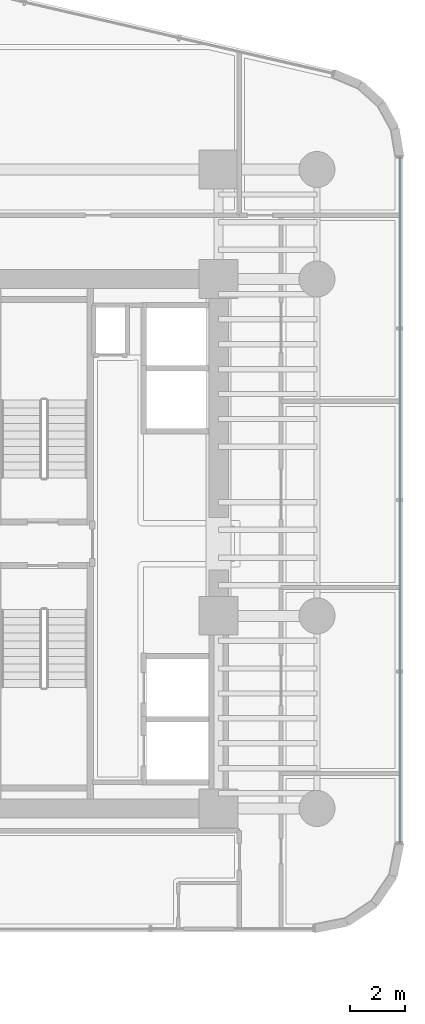
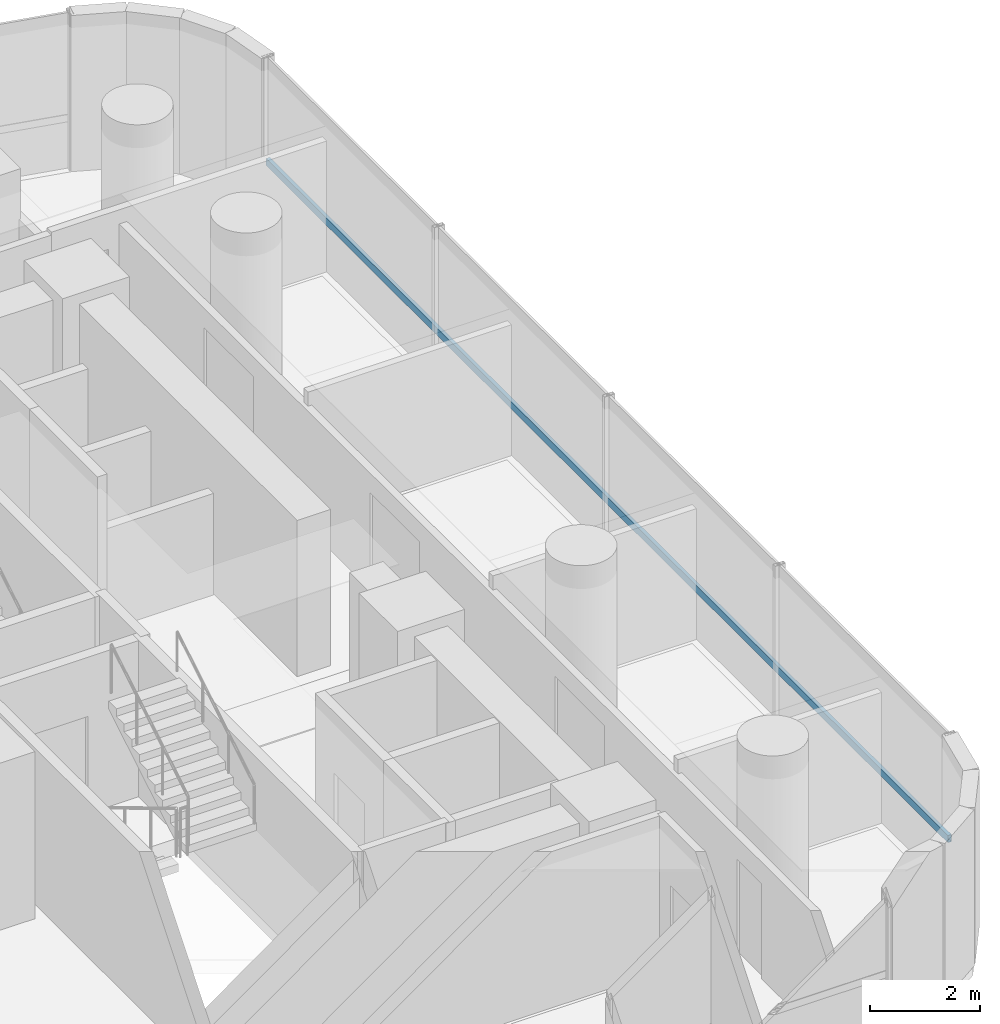
# One storey, part 25 of 40: 1 member, 1 element without a shape of its own.
"""IFC4 building model written with IfcOpenShell, lengths in metres."""

import ifcopenshell
import ifcopenshell.guid

model = None  # the IFC model being written
_history = None  # IfcOwnerHistory: only IFC2X3 demands one
_inside = {}  # id of a spatial element -> (the spatial element, [elements in it])
_under = {}  # id of a project, library or spatial element -> (it, [spatial elements below it])
_declared = {}  # id of a project -> (the project, [libraries it declares])
_typed = {}  # id of a type object -> (the type object, [elements of that type])
_made_of = {}  # id of a material, layer set ... -> (it, [elements and type objects made of it])


def new_model(schema):
    """Start an empty IFC model of exactly this schema.

    Asked for "IFC4X3", IfcOpenShell would pick the latest addendum, in which some entities
    have other attributes; the version numbers below select the first issue.
    IFC2X3 requires an IfcOwnerHistory on every rooted entity: one is made here for all.
    """
    global model, _history
    if schema == "IFC4X3":
        model = ifcopenshell.file(schema_version=(4, 3, 0, 0))
    else:
        model = ifcopenshell.file(schema=schema)
    _inside.clear()
    _under.clear()
    _declared.clear()
    _typed.clear()
    _made_of.clear()
    _history = None
    if model.schema == "IFC2X3":
        org = make("IfcOrganization", Name="unknown")
        user = make(
            "IfcPersonAndOrganization",
            ThePerson=make("IfcPerson", FamilyName="unknown"),
            TheOrganization=org,
        )
        app = make(
            "IfcApplication",
            ApplicationDeveloper=org,
            Version="unknown",
            ApplicationFullName="unknown",
            ApplicationIdentifier="unknown",
        )
        _history = make(
            "IfcOwnerHistory",
            OwningUser=user,
            OwningApplication=app,
            ChangeAction="ADDED",
            CreationDate=0,
        )
    return model


def make(cls, **values):
    """One entity of the class cls with the attributes given. An attribute that is None is left unset."""
    return model.create_entity(
        cls, **{name: value for name, value in values.items() if value is not None}
    )


def rooted(cls, **values):
    """An entity with a GlobalId (a new one), such as an element, a storey or a relation."""
    return make(cls, GlobalId=ifcopenshell.guid.new(), OwnerHistory=_history, **values)


def si_unit(unit_type, name, prefix=None):
    """IfcSIUnit, for example si_unit("LENGTHUNIT", "METRE", prefix="MILLI")."""
    return make("IfcSIUnit", UnitType=unit_type, Prefix=prefix, Name=name)


def assignment(units):
    """IfcUnitAssignment: the units of a project."""
    return None if units is None else make("IfcUnitAssignment", Units=units)


def point(xyz):
    """IfcCartesianPoint."""
    return None if xyz is None else make("IfcCartesianPoint", Coordinates=xyz)


def direction(xyz):
    """IfcDirection."""
    return None if xyz is None else make("IfcDirection", DirectionRatios=xyz)


def frame(location, z_axis=None, x_axis=None):
    """IfcAxis2Placement3D, a coordinate frame: its origin and axes. An axis left out is left unset."""
    return make(
        "IfcAxis2Placement3D",
        Location=point(location),
        Axis=direction(z_axis),
        RefDirection=direction(x_axis),
    )


def frame_2d(location, x_axis=None):
    """IfcAxis2Placement2D, a coordinate frame in the plane: its origin and x axis."""
    return make(
        "IfcAxis2Placement2D", Location=point(location), RefDirection=direction(x_axis)
    )


def origin():
    """The frame at (0, 0, 0) with its axes left unset."""
    return frame((0.0, 0.0, 0.0))


def origin_2d():
    """The frame at (0, 0) in the plane with its x axis left unset."""
    return frame_2d((0.0, 0.0))


def place(relative_to, where):
    """IfcLocalPlacement: puts the frame where relative to a parent placement (None: the world)."""
    return make(
        "IfcLocalPlacement", PlacementRelTo=relative_to, RelativePlacement=where
    )


def context(
    kind, dimensions, precision=None, world=None, true_north=None, identifier=None
):
    """IfcGeometricRepresentationContext, for example the 3D "Model" context."""
    return make(
        "IfcGeometricRepresentationContext",
        ContextIdentifier=identifier,
        ContextType=kind,
        CoordinateSpaceDimension=dimensions,
        Precision=precision,
        WorldCoordinateSystem=world,
        TrueNorth=true_north,
    )


def subcontext(parent, identifier, kind, view, scale=None):
    """IfcGeometricRepresentationSubContext, for example "Body" below "Model"."""
    return make(
        "IfcGeometricRepresentationSubContext",
        ContextIdentifier=identifier,
        ContextType=kind,
        ParentContext=parent,
        TargetScale=scale,
        TargetView=view,
    )


def project(units=None, contexts=None):
    """IfcProject with its units and contexts."""
    return rooted(
        "IfcProject",
        Name="project",
        RepresentationContexts=contexts,
        UnitsInContext=assignment(units),
    )


def spatial(cls, under=None, at=None, **own):
    """A site, building, storey or space (cls), placed at a placement, below another one or the project."""
    s = rooted(cls, ObjectPlacement=at, **own)
    if under is not None:
        _under.setdefault(under.id(), (under, []))[1].append(s)
    return s


def profile(cls, at=None, kind="AREA", **sizes):
    """A parametric profile (cls). Its sizes go by their IFC names, for example OverallWidth=200.0."""
    return make(cls, ProfileType=kind, Position=at, **sizes)


def hollow_rectangle(**sizes):
    """IfcRectangleHollowProfileDef."""
    return profile("IfcRectangleHollowProfileDef", **sizes)


def extrude(swept, where, along, depth):
    """IfcExtrudedAreaSolid: the profile swept, set in the frame where, extruded along a direction by depth."""
    return make(
        "IfcExtrudedAreaSolid",
        SweptArea=swept,
        Position=where,
        ExtrudedDirection=direction(along),
        Depth=depth,
    )


def shape(context_of_items, identifier, shape_type, items):
    """IfcShapeRepresentation: the items that make up one representation, for example the "Body"."""
    return make(
        "IfcShapeRepresentation",
        ContextOfItems=context_of_items,
        RepresentationIdentifier=identifier,
        RepresentationType=shape_type,
        Items=items,
    )


def source(mapping_origin, context_of_items, identifier, shape_type, items):
    """IfcRepresentationMap: a shape defined once, which mapped items show again and again."""
    return make(
        "IfcRepresentationMap",
        MappingOrigin=mapping_origin,
        MappedRepresentation=shape(context_of_items, identifier, shape_type, items),
    )


def transform(
    local_origin,
    x_axis=None,
    y_axis=None,
    z_axis=None,
    scale=None,
    scale2=None,
    scale3=None,
    uniform=True,
):
    """IfcCartesianTransformationOperator3D, or its non-uniform kind. x_axis, y_axis, z_axis: its Axis1, 2, 3."""
    if uniform:
        return make(
            "IfcCartesianTransformationOperator3D",
            Axis1=direction(x_axis),
            Axis2=direction(y_axis),
            LocalOrigin=point(local_origin),
            Scale=scale,
            Axis3=direction(z_axis),
        )
    return make(
        "IfcCartesianTransformationOperator3DnonUniform",
        Axis1=direction(x_axis),
        Axis2=direction(y_axis),
        LocalOrigin=point(local_origin),
        Scale=scale,
        Axis3=direction(z_axis),
        Scale2=scale2,
        Scale3=scale3,
    )


def mapped(mapping_source, mapping_target):
    """IfcMappedItem: shows the shape of a source again, moved by a transform."""
    return make(
        "IfcMappedItem", MappingSource=mapping_source, MappingTarget=mapping_target
    )


def material(Name=None, Category=None):
    """IfcMaterial."""
    return make("IfcMaterial", Name=Name, Category=Category)


def material_profile(
    of_material, cross_section, Name=None, Category=None, Priority=None
):
    """IfcMaterialProfile: a cross section and its material."""
    return make(
        "IfcMaterialProfile",
        Name=Name,
        Material=of_material,
        Profile=cross_section,
        Priority=Priority,
        Category=Category,
    )


def profile_set(profiles, Name=None, composite=None):
    """IfcMaterialProfileSet."""
    return make(
        "IfcMaterialProfileSet",
        Name=Name,
        MaterialProfiles=profiles,
        CompositeProfile=composite,
    )


def made_of(thing, what):
    """Note that an element or type object is made of a material, layer set ...; save() writes the relation."""
    if what is not None:
        _made_of.setdefault(what.id(), (what, []))[1].append(thing)
    return thing


def type_object(cls, material=None, **own):
    """A type object (cls), such as IfcWallType, which elements share."""
    return made_of(rooted(cls, **own), material)


def element(
    cls,
    number,
    at=None,
    inside=None,
    cuts=None,
    type_object=None,
    material=None,
    context=None,
    identifier="Body",
    shape_type=None,
    held_by="IfcProductDefinitionShape",
    body=None,
    shapes=None,
    **own,
):
    """One element of the class cls, such as IfcWall. Its Tag is "e" and its number.

    at: its placement. inside: the storey or other place that contains it. cuts: it is an
    opening in that element (IfcRelVoidsElement). A single representation is given by context,
    identifier, shape_type and body (its items); several are given by shapes. held_by: the class
    of the entity that holds the representations. save() writes the other relations.
    """
    e = rooted(cls, Tag="e%d" % number, ObjectPlacement=at, **own)
    if body is not None:
        shapes = [shape(context, identifier, shape_type, body)]
    if shapes is not None:
        e.Representation = make(held_by, Representations=shapes)
    if inside is not None:
        _inside.setdefault(inside.id(), (inside, []))[1].append(e)
    if cuts is not None:
        rooted(
            "IfcRelVoidsElement", RelatingBuildingElement=cuts, RelatedOpeningElement=e
        )
    if type_object is not None:
        _typed.setdefault(type_object.id(), (type_object, []))[1].append(e)
    return made_of(e, material)


def aggregate(whole, parts):
    """IfcRelAggregates: a whole, such as a stair, and the parts it consists of."""
    return rooted("IfcRelAggregates", RelatingObject=whole, RelatedObjects=parts)


def save(model, path):
    """Write the relations noted so far, then the file.

    IfcRelAggregates (storeys below a building ...), IfcRelContainedInSpatialStructure (elements
    in a storey), IfcRelDefinesByType, IfcRelAssociatesMaterial and IfcRelDeclares: one each for
    every whole, place, type object, material and project.
    """
    for whole, parts in _under.values():
        aggregate(whole, parts)
    for where, things in _inside.values():
        rooted(
            "IfcRelContainedInSpatialStructure",
            RelatedElements=things,
            RelatingStructure=where,
        )
    for kind, things in _typed.values():
        rooted("IfcRelDefinesByType", RelatedObjects=things, RelatingType=kind)
    for what, things in _made_of.values():
        rooted("IfcRelAssociatesMaterial", RelatedObjects=things, RelatingMaterial=what)
    for by, libraries in _declared.values():
        rooted("IfcRelDeclares", RelatingContext=by, RelatedDefinitions=libraries)
    model.write(path)


model = new_model("IFC4")

# Units and contexts
model_context = context("Model", 3, precision=1e-05, world=origin(), true_north=direction((0.0, 1.0)))
body_context = subcontext(model_context, "Body", "Model", "MODEL_VIEW")
ifc_project = project(units=[si_unit("LENGTHUNIT", "METRE"), si_unit("AREAUNIT", "SQUARE_METRE"), si_unit("VOLUMEUNIT", "CUBIC_METRE"), si_unit("PLANEANGLEUNIT", "RADIAN"), si_unit("MASSUNIT", "GRAM", prefix="KILO")], contexts=[model_context])

# Site, building, storey
site_placement = place(None, origin())
site = spatial("IfcSite", under=ifc_project, at=site_placement, CompositionType="ELEMENT")
building_placement = place(site_placement, origin())
building = spatial("IfcBuilding", under=site, at=building_placement, Name="Valdorenza Pilgrim Sanctuary Tower", CompositionType="ELEMENT")
storey_placement = place(building_placement, frame((0.0, 0.0, 40.800048828125)))
storey = spatial("IfcBuildingStorey", under=building, at=storey_placement, Name="L09", CompositionType="ELEMENT", Elevation=40.800048828125)

# Curtain wall, member
ifc_material_1 = material(Name="Curtain-wall IGU glazing", Category="glass")
curtain_wall_type = type_object("IfcCurtainWallType", Name="CW-SYS-03", PredefinedType="NOTDEFINED", material=ifc_material_1)
curtain_wall_placement = place(storey_placement, origin())
curtain_wall = element("IfcCurtainWall", 1, at=curtain_wall_placement, inside=storey, type_object=curtain_wall_type, Name="L09 Curtain Wall CW-L09-1-21", PredefinedType="NOTDEFINED")
ifc_material_2 = material(Name="Anodised aluminium AW-6060", Category="aluminium")
ifc_material_profile = material_profile(ifc_material_2, hollow_rectangle(XDim=0.074951171875, YDim=0.159912109375, WallThickness=0.00390625, at=origin_2d()), Name="ALU-T 160x75x4")
ifc_profile_set = profile_set([ifc_material_profile], Name="Anodised aluminium AW-6060")
member_type = type_object("IfcMemberType", Name="CW-TRN-03", PredefinedType="USERDEFINED", material=ifc_profile_set)
shared_shape = source(origin(), body_context, "Body", "SweptSolid", [
    extrude(hollow_rectangle(XDim=0.074951171875, YDim=0.159912109375, WallThickness=0.00390625, at=origin_2d()), origin(), (0.0, 0.0, 1.0), 24.734375),
])
member_placement = place(storey_placement, frame((31.389892578125, 13.945068359375, 1.119873046875), z_axis=(0.0, -1.0, 0.0), x_axis=(1.0, 0.0, 0.0)))
member = element("IfcMember", 2, at=member_placement, type_object=member_type, Name="CW-L09-1-21 Transom 1", ObjectType="TRANSOM", PredefinedType="USERDEFINED", context=body_context, shape_type="MappedRepresentation", body=[
    mapped(shared_shape, transform((0.0, 0.0, 0.0), x_axis=(1.0, 0.0, 0.0), y_axis=(0.0, 1.0, 0.0), z_axis=(0.0, 0.0, 1.0), scale=1.0)),
])
aggregate(curtain_wall, [member])

save(model, "model.ifc")
